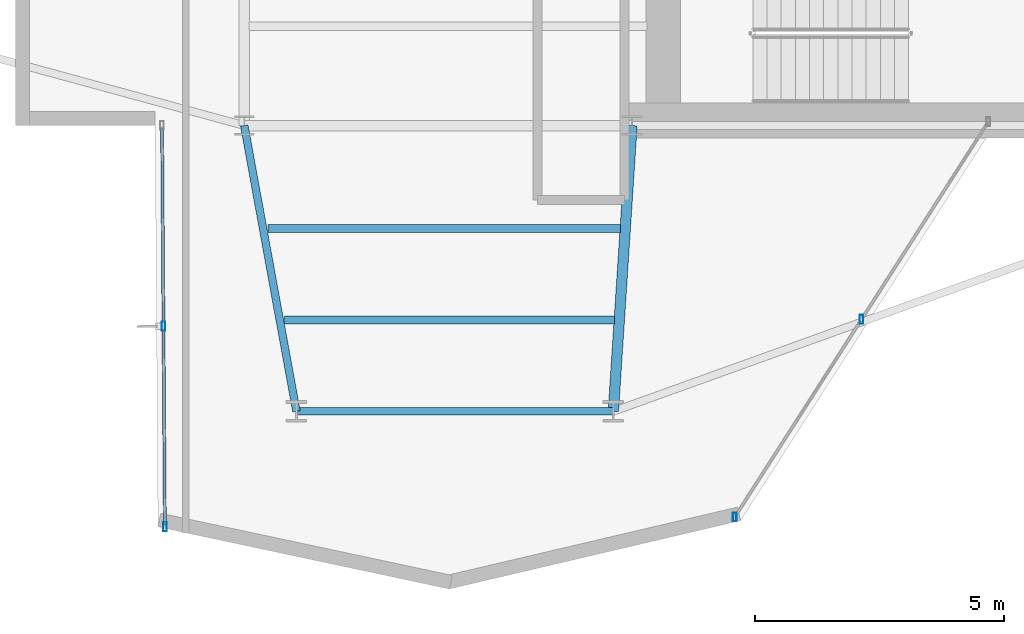
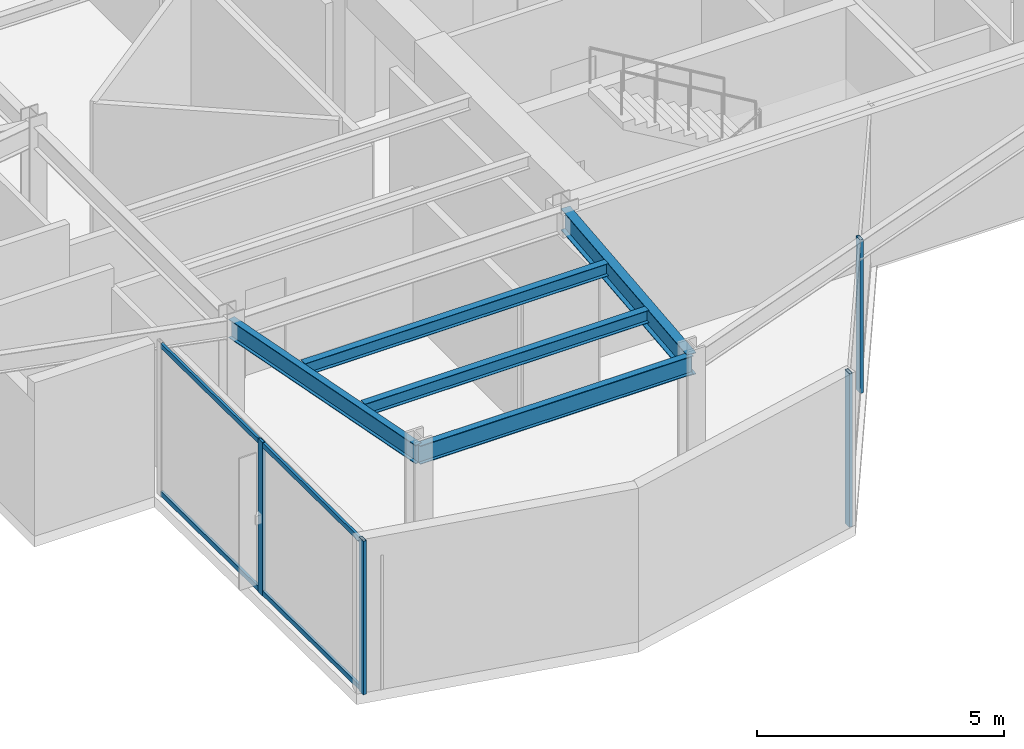
# One storey, part 6 of 23: 6 members, 5 beams, 2 elements without a shape of their own.
"""IFC4 building model written with IfcOpenShell, lengths in metres."""

from ifc_helpers import new_model, si_unit, direction, frame, origin, origin_2d, place, context, subcontext, project, spatial, hollow_rectangle, i_section, extrude, material, layer, layer_set, material_profile, profile_set, type_object, element, aggregate, save


model = new_model("IFC4")

# Units and contexts
model_context = context("Model", 3, precision=1e-05, world=origin(), true_north=direction((0.0, 1.0)))
body_context = subcontext(model_context, "Body", "Model", "MODEL_VIEW")
ifc_project = project(units=[si_unit("LENGTHUNIT", "METRE"), si_unit("AREAUNIT", "SQUARE_METRE"), si_unit("VOLUMEUNIT", "CUBIC_METRE"), si_unit("PLANEANGLEUNIT", "RADIAN"), si_unit("MASSUNIT", "GRAM", prefix="KILO")], contexts=[model_context])

# Site, building, storey
site_placement = place(None, origin())
site = spatial("IfcSite", under=ifc_project, at=site_placement, CompositionType="ELEMENT")
building_placement = place(site_placement, origin())
building = spatial("IfcBuilding", under=site, at=building_placement, Name="Veymaron Broadcast Tower", CompositionType="ELEMENT")
storey_placement = place(building_placement, frame((0.0, 0.0, 191.85009765625)))
storey = spatial("IfcBuildingStorey", under=building, at=storey_placement, Name="L44", CompositionType="ELEMENT", Elevation=191.85009765625)

# Beams
ifc_material_1 = material(Name="Structural steel ASTM A992 Gr 50", Category="steel")
ifc_material_profile_1 = material_profile(ifc_material_1, i_section(OverallWidth=0.2099609375, OverallDepth=0.537109375, WebThickness=0.010986328125, FlangeThickness=0.017333984375, at=origin_2d()), Name="W530X101")
ifc_profile_set_1 = profile_set([ifc_material_profile_1], Name="Structural steel ASTM A992 Gr 50")
beam_type_1 = type_object("IfcBeamType", Name="BM-FG3", PredefinedType="BEAM", material=ifc_profile_set_1)
beam_1_placement = place(storey_placement, frame((39.0, 16.0, 3.521484375), z_axis=(-0.065079137346, -0.997880105966, 0.0), x_axis=(0.997880105966, -0.065079137346, 0.0)))
element("IfcBeam", 1, at=beam_1_placement, inside=storey, type_object=beam_type_1, Name="L44 primary structural floor girder", PredefinedType="BEAM", context=body_context, shape_type="SweptSolid", body=[
    extrude(i_section(OverallWidth=0.2099609375, OverallDepth=0.537109375, WebThickness=0.010986328125, FlangeThickness=0.017333984375, at=origin_2d()), origin(), (0.0, 0.0, 1.0), 5.76220703125),
])
ifc_material_profile_2 = material_profile(ifc_material_1, i_section(OverallWidth=0.1650390625, OverallDepth=0.31005859375, WebThickness=0.005859375, FlangeThickness=0.009765625, at=origin_2d()), Name="W310X39")
ifc_profile_set_2 = profile_set([ifc_material_profile_2], Name="Structural steel ASTM A992 Gr 50")
beam_type_2 = type_object("IfcBeamType", Name="BM-JS3", PredefinedType="JOIST", material=ifc_profile_set_2)
beam_2_placement = place(storey_placement, frame((31.677978515625, 13.929931640625, 3.635009765625), z_axis=(1.0, 0.0, 0.0), x_axis=(0.0, 1.0, 0.0)))
element("IfcBeam", 2, at=beam_2_placement, inside=storey, type_object=beam_type_2, Name="L44 Arm-C secondary joist 1", PredefinedType="JOIST", context=body_context, shape_type="SweptSolid", body=[
    extrude(i_section(OverallWidth=0.1650390625, OverallDepth=0.31005859375, WebThickness=0.005859375, FlangeThickness=0.009765625, at=origin_2d()), origin(), (0.0, 0.0, 1.0), 7.0869140625),
])
beam_3_placement = place(storey_placement, frame((32.013916015625, 12.090087890625, 3.635009765625), z_axis=(1.0, 0.0, 0.0), x_axis=(0.0, 1.0, 0.0)))
element("IfcBeam", 3, at=beam_3_placement, inside=storey, type_object=beam_type_2, Name="L44 Arm-C secondary joist 2", PredefinedType="JOIST", context=body_context, shape_type="SweptSolid", body=[
    extrude(i_section(OverallWidth=0.1650390625, OverallDepth=0.31005859375, WebThickness=0.005859375, FlangeThickness=0.009765625, at=origin_2d()), origin(), (0.0, 0.0, 1.0), 6.631103515625),
])
ifc_material_profile_3 = material_profile(ifc_material_1, i_section(OverallWidth=0.154052734375, OverallDepth=0.458984375, WebThickness=0.009033203125, FlangeThickness=0.015380859375, at=origin_2d()), Name="W460X68")
ifc_profile_set_3 = profile_set([ifc_material_profile_3], Name="Structural steel ASTM A992 Gr 50")
beam_type_3 = type_object("IfcBeamType", Name="BM-SP2", PredefinedType="SPANDREL", material=ifc_profile_set_3)
beam_4_placement = place(storey_placement, frame((31.199951171875, 16.0, 3.560302734375), z_axis=(0.179646239371, -0.983731278693, 0.0), x_axis=(0.983731278693, 0.179646239371, 0.0)))
element("IfcBeam", 4, at=beam_4_placement, inside=storey, type_object=beam_type_3, Name="L44 primary structural floor girder", PredefinedType="SPANDREL", context=body_context, shape_type="SweptSolid", body=[
    extrude(i_section(OverallWidth=0.154052734375, OverallDepth=0.458984375, WebThickness=0.009033203125, FlangeThickness=0.015380859375, at=origin_2d()), origin(), (0.0, 0.0, 1.0), 5.844970703125),
])
beam_5_placement = place(storey_placement, frame((32.25, 10.25, 3.560302734375), z_axis=(1.0, 0.0, 0.0), x_axis=(0.0, 1.0, 0.0)))
element("IfcBeam", 5, at=beam_5_placement, inside=storey, type_object=beam_type_3, Name="L44 primary structural floor girder", PredefinedType="SPANDREL", context=body_context, shape_type="SweptSolid", body=[
    extrude(i_section(OverallWidth=0.154052734375, OverallDepth=0.458984375, WebThickness=0.009033203125, FlangeThickness=0.015380859375, at=origin_2d()), origin(), (0.0, 0.0, 1.0), 6.375),
])

# Curtain wall, members
ifc_material_2 = material(Name="Anodised aluminium AA 6063-T6 and laminated low-E dark glass", Category="aluminium")
ifc_layer = layer(ifc_material_2, 0.179931640625)
ifc_layer_set = layer_set([ifc_layer], Name="Anodised aluminium AA 6063-T6 and laminated low-E dark glass")
curtain_wall_type = type_object("IfcCurtainWallType", Name="CW-SYS-05", PredefinedType="NOTDEFINED", material=ifc_layer_set)
curtain_wall_1_placement = place(storey_placement, origin())
curtain_wall_1 = element("IfcCurtainWall", 6, at=curtain_wall_1_placement, inside=storey, type_object=curtain_wall_type, Name="L44 dark-glass curtain wall CW-L44-E17-1", PredefinedType="NOTDEFINED")
ifc_material_3 = material(Name="Anodised aluminium AA 6063-T6", Category="aluminium")
ifc_material_profile_4 = material_profile(ifc_material_3, hollow_rectangle(XDim=0.074951171875, YDim=0.179931640625, WallThickness=0.0048828125, at=origin_2d()), Name="AL180X75X5")
ifc_profile_set_4 = profile_set([ifc_material_profile_4], Name="Anodised aluminium AA 6063-T6")
member_type_1 = type_object("IfcMemberType", Name="CW-MUL-02", PredefinedType="MULLION", material=ifc_profile_set_4)
member_1_placement = place(storey_placement, frame((29.574462890625, 11.96337890625, 0.0), z_axis=(0.0, 0.0, 1.0), x_axis=(1.0, 0.0, 0.0)))
member_1 = element("IfcMember", 7, at=member_1_placement, type_object=member_type_1, Name="CW-L44-E17-1 mullion 1", PredefinedType="MULLION", context=body_context, shape_type="SweptSolid", body=[
    extrude(hollow_rectangle(XDim=0.074951171875, YDim=0.179931640625, WallThickness=0.0048828125, at=origin_2d()), origin(), (0.0, 0.0, 1.0), 3.789794921875),
])
member_2_placement = place(storey_placement, frame((29.603271484375, 7.926025390625, 0.0), z_axis=(0.0, 0.0, 1.0), x_axis=(1.0, 0.0, 0.0)))
member_2 = element("IfcMember", 8, at=member_2_placement, type_object=member_type_1, Name="CW-L44-E17-1 mullion 2", PredefinedType="MULLION", context=body_context, shape_type="SweptSolid", body=[
    extrude(hollow_rectangle(XDim=0.074951171875, YDim=0.179931640625, WallThickness=0.0048828125, at=origin_2d()), origin(), (0.0, 0.0, 1.0), 3.789794921875),
])

curtain_wall_2_placement = place(storey_placement, origin())
curtain_wall_2 = element("IfcCurtainWall", 9, at=curtain_wall_2_placement, inside=storey, type_object=curtain_wall_type, Name="L44 dark-glass curtain wall CW-L44-E20-1", PredefinedType="NOTDEFINED")
member_3_placement = place(storey_placement, frame((41.06884765625, 8.12548828125, 0.0), z_axis=(0.0, 0.0, 1.0), x_axis=(1.0, 0.0, 0.0)))
member_3 = element("IfcMember", 10, at=member_3_placement, type_object=member_type_1, Name="CW-L44-E20-1 mullion 0", PredefinedType="MULLION", context=body_context, shape_type="SweptSolid", body=[
    extrude(hollow_rectangle(XDim=0.074951171875, YDim=0.179931640625, WallThickness=0.0048828125, at=origin_2d()), origin(), (0.0, 0.0, 1.0), 3.789794921875),
])
member_4_placement = place(storey_placement, frame((43.618896484375, 12.1005859375, 0.0), z_axis=(0.0, 0.0, 1.0), x_axis=(1.0, 0.0, 0.0)))
member_4 = element("IfcMember", 11, at=member_4_placement, type_object=member_type_1, Name="CW-L44-E20-1 mullion 1", PredefinedType="MULLION", context=body_context, shape_type="SweptSolid", body=[
    extrude(hollow_rectangle(XDim=0.074951171875, YDim=0.179931640625, WallThickness=0.0048828125, at=origin_2d()), origin(), (0.0, 0.0, 1.0), 3.789794921875),
])
aggregate(curtain_wall_2, [member_3, member_4])

# Member
ifc_material_profile_5 = material_profile(ifc_material_3, hollow_rectangle(XDim=0.06005859375, YDim=0.1201171875, WallThickness=0.00390625, at=origin_2d()), Name="AL120X60X4")
ifc_profile_set_5 = profile_set([ifc_material_profile_5], Name="Anodised aluminium AA 6063-T6")
member_type_2 = type_object("IfcMemberType", Name="CW-TRN-02", PredefinedType="USERDEFINED", material=ifc_profile_set_5)
member_5_placement = place(storey_placement, frame((29.546142578125, 15.950927734375, 0.06982421875), z_axis=(0.007102224053, -0.999974778889, 0.0), x_axis=(0.999974778889, 0.007102224053, 0.0)))
member_5 = element("IfcMember", 12, at=member_5_placement, type_object=member_type_2, Name="CW-L44-E17-1 transom B", ObjectType="TRANSOM", PredefinedType="USERDEFINED", context=body_context, shape_type="SweptSolid", body=[
    extrude(hollow_rectangle(XDim=0.06005859375, YDim=0.1201171875, WallThickness=0.00390625, at=origin_2d()), origin(), (0.0, 0.0, 1.0), 7.97509765625),
])

member_6_placement = place(storey_placement, frame((29.546142578125, 15.950927734375, 3.719970703125), z_axis=(0.007102224053, -0.999974778889, 0.0), x_axis=(0.999974778889, 0.007102224053, 0.0)))
member_6 = element("IfcMember", 13, at=member_6_placement, type_object=member_type_2, Name="CW-L44-E17-1 transom T", ObjectType="TRANSOM", PredefinedType="USERDEFINED", context=body_context, shape_type="SweptSolid", body=[
    extrude(hollow_rectangle(XDim=0.06005859375, YDim=0.1201171875, WallThickness=0.00390625, at=origin_2d()), origin(), (0.0, 0.0, 1.0), 7.97509765625),
])

aggregate(curtain_wall_1, [member_1, member_2, member_5, member_6])

save(model, "model.ifc")
